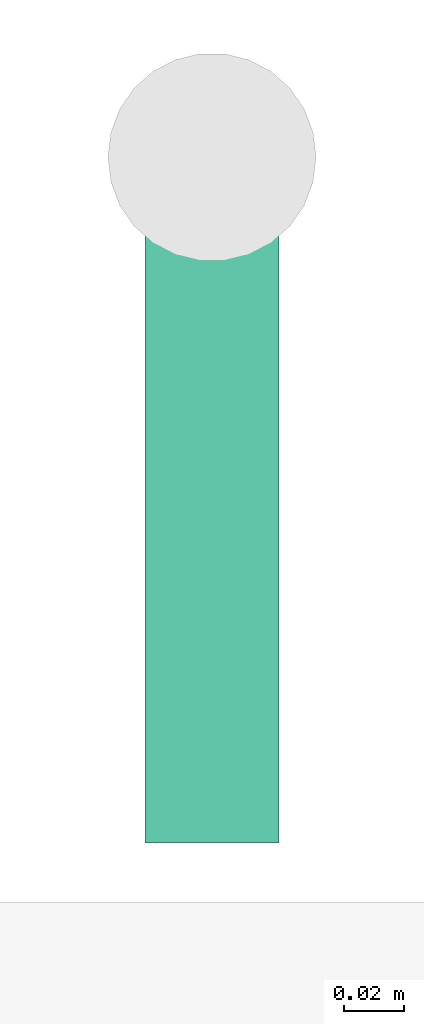
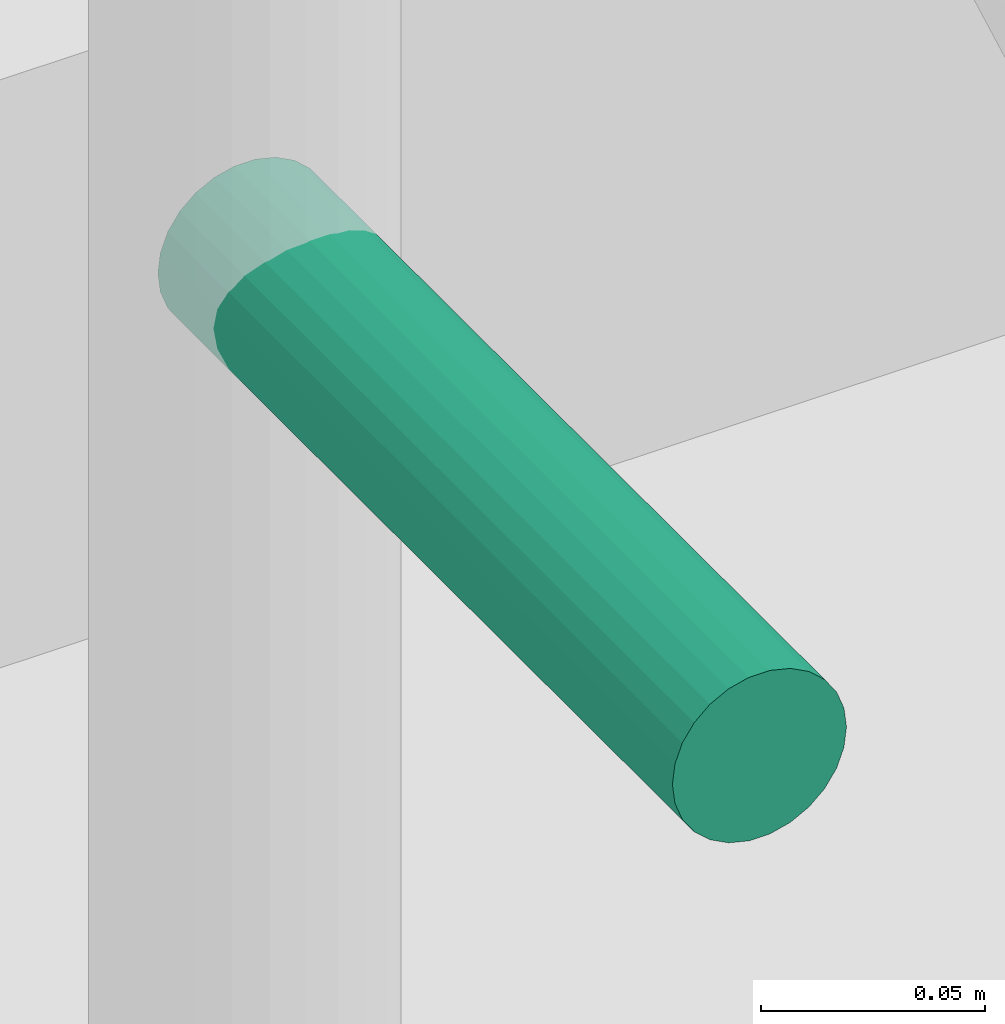
# One storey, part 31 of 33: 1 pipe fitting.
"""IFC4 building model written with IfcOpenShell, lengths in metres."""

from ifc_helpers import new_model, si_unit, direction, frame, origin, origin_2d, place, context, subcontext, project, spatial, circle, extrude, element, save


model = new_model("IFC4")

# Units and contexts
model_context = context("Model", 3, precision=1e-05, world=origin(), true_north=direction((0.0, 1.0)))
body_context = subcontext(model_context, "Body", "Model", "MODEL_VIEW")
ifc_project = project(units=[si_unit("LENGTHUNIT", "METRE"), si_unit("AREAUNIT", "SQUARE_METRE"), si_unit("VOLUMEUNIT", "CUBIC_METRE"), si_unit("PLANEANGLEUNIT", "RADIAN"), si_unit("MASSUNIT", "GRAM", prefix="KILO")], contexts=[model_context])

# Site, building, storey
site_placement = place(None, origin())
site = spatial("IfcSite", under=ifc_project, at=site_placement, CompositionType="ELEMENT")
building_placement = place(site_placement, origin())
building = spatial("IfcBuilding", under=site, at=building_placement, Name="Nzadi Deep Aquarium and Research Tower", CompositionType="ELEMENT")
storey_placement = place(building_placement, frame((0.0, 0.0, 6.5)))
storey = spatial("IfcBuildingStorey", under=building, at=storey_placement, Name="L01", CompositionType="ELEMENT", Elevation=6.5)

# Pipe fitting
pipe_fitting_placement = place(storey_placement, frame((55.300048828125, 68.9599609375, 1.10009765625), z_axis=(0.0, -1.0, 0.0), x_axis=(1.0, 0.0, 0.0)))
element("IfcPipeFitting", 1, at=pipe_fitting_placement, inside=storey, Name="Dry riser outlet ST-Z2-E L01", PredefinedType="EXIT", context=body_context, shape_type="SweptSolid", body=[
    extrude(circle(Radius=0.0224609375, at=origin_2d()), origin(), (0.0, 0.0, 1.0), 0.22998046875),
])

save(model, "model.ifc")
